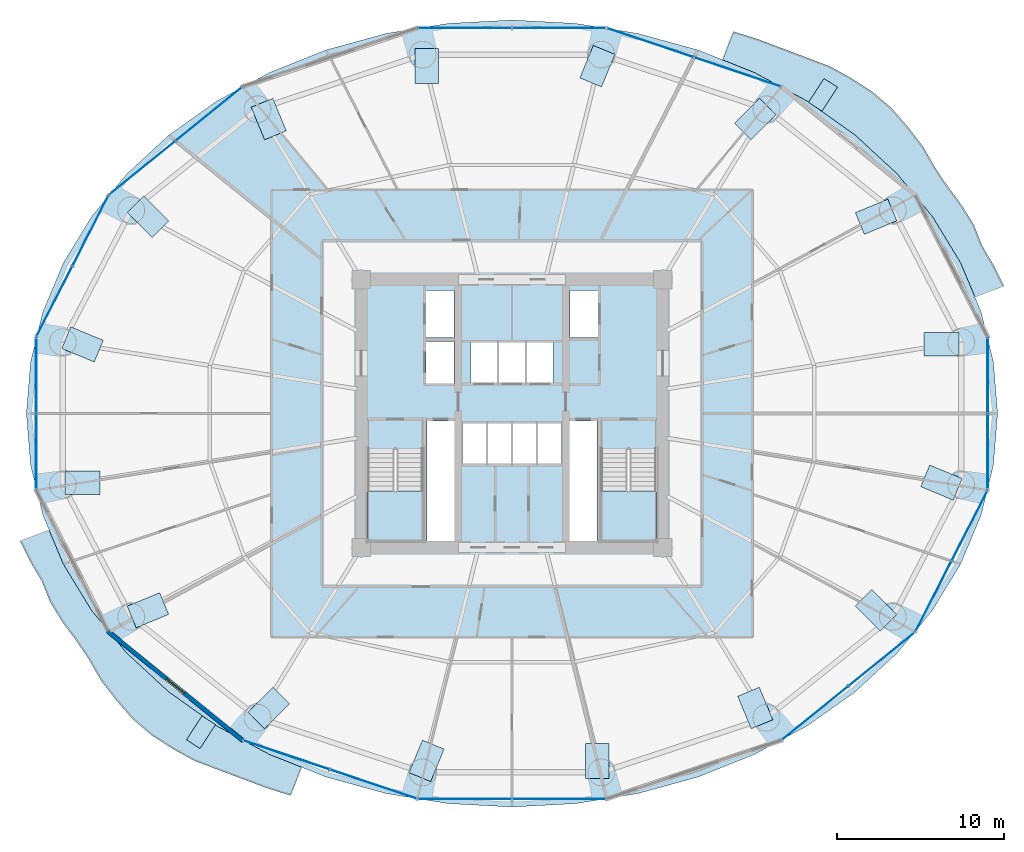
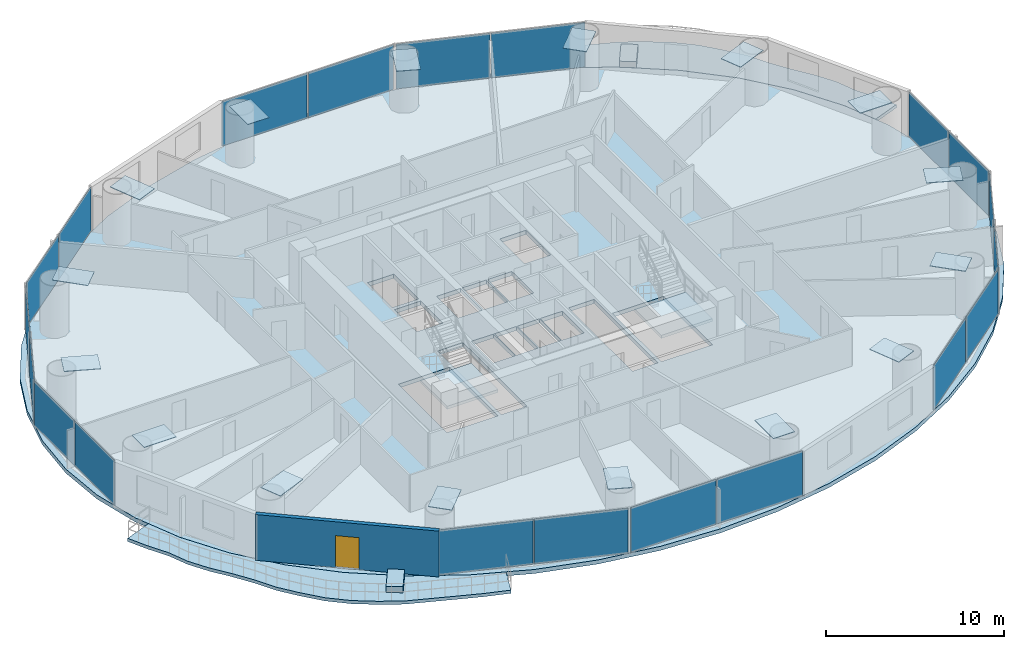
# One storey, part 21 of 29: 36 plates, 7 slabs, 1 door, 1 wall, 1 opening, 12 elements without a shape of their own.
"""IFC4 building model written with IfcOpenShell, lengths in metres."""

import ifcopenshell
import ifcopenshell.guid

model = None  # the IFC model being written
_history = None  # IfcOwnerHistory: only IFC2X3 demands one
_inside = {}  # id of a spatial element -> (the spatial element, [elements in it])
_under = {}  # id of a project, library or spatial element -> (it, [spatial elements below it])
_declared = {}  # id of a project -> (the project, [libraries it declares])
_typed = {}  # id of a type object -> (the type object, [elements of that type])
_made_of = {}  # id of a material, layer set ... -> (it, [elements and type objects made of it])


def new_model(schema):
    """Start an empty IFC model of exactly this schema.

    Asked for "IFC4X3", IfcOpenShell would pick the latest addendum, in which some entities
    have other attributes; the version numbers below select the first issue.
    IFC2X3 requires an IfcOwnerHistory on every rooted entity: one is made here for all.
    """
    global model, _history
    if schema == "IFC4X3":
        model = ifcopenshell.file(schema_version=(4, 3, 0, 0))
    else:
        model = ifcopenshell.file(schema=schema)
    _inside.clear()
    _under.clear()
    _declared.clear()
    _typed.clear()
    _made_of.clear()
    _history = None
    if model.schema == "IFC2X3":
        org = make("IfcOrganization", Name="unknown")
        user = make(
            "IfcPersonAndOrganization",
            ThePerson=make("IfcPerson", FamilyName="unknown"),
            TheOrganization=org,
        )
        app = make(
            "IfcApplication",
            ApplicationDeveloper=org,
            Version="unknown",
            ApplicationFullName="unknown",
            ApplicationIdentifier="unknown",
        )
        _history = make(
            "IfcOwnerHistory",
            OwningUser=user,
            OwningApplication=app,
            ChangeAction="ADDED",
            CreationDate=0,
        )
    return model


def make(cls, **values):
    """One entity of the class cls with the attributes given. An attribute that is None is left unset."""
    return model.create_entity(
        cls, **{name: value for name, value in values.items() if value is not None}
    )


def rooted(cls, **values):
    """An entity with a GlobalId (a new one), such as an element, a storey or a relation."""
    return make(cls, GlobalId=ifcopenshell.guid.new(), OwnerHistory=_history, **values)


def si_unit(unit_type, name, prefix=None):
    """IfcSIUnit, for example si_unit("LENGTHUNIT", "METRE", prefix="MILLI")."""
    return make("IfcSIUnit", UnitType=unit_type, Prefix=prefix, Name=name)


def assignment(units):
    """IfcUnitAssignment: the units of a project."""
    return None if units is None else make("IfcUnitAssignment", Units=units)


def point(xyz):
    """IfcCartesianPoint."""
    return None if xyz is None else make("IfcCartesianPoint", Coordinates=xyz)


def direction(xyz):
    """IfcDirection."""
    return None if xyz is None else make("IfcDirection", DirectionRatios=xyz)


def frame(location, z_axis=None, x_axis=None):
    """IfcAxis2Placement3D, a coordinate frame: its origin and axes. An axis left out is left unset."""
    return make(
        "IfcAxis2Placement3D",
        Location=point(location),
        Axis=direction(z_axis),
        RefDirection=direction(x_axis),
    )


def frame_2d(location, x_axis=None):
    """IfcAxis2Placement2D, a coordinate frame in the plane: its origin and x axis."""
    return make(
        "IfcAxis2Placement2D", Location=point(location), RefDirection=direction(x_axis)
    )


def origin():
    """The frame at (0, 0, 0) with its axes left unset."""
    return frame((0.0, 0.0, 0.0))


def origin_2d():
    """The frame at (0, 0) in the plane with its x axis left unset."""
    return frame_2d((0.0, 0.0))


def place(relative_to, where):
    """IfcLocalPlacement: puts the frame where relative to a parent placement (None: the world)."""
    return make(
        "IfcLocalPlacement", PlacementRelTo=relative_to, RelativePlacement=where
    )


def context(
    kind, dimensions, precision=None, world=None, true_north=None, identifier=None
):
    """IfcGeometricRepresentationContext, for example the 3D "Model" context."""
    return make(
        "IfcGeometricRepresentationContext",
        ContextIdentifier=identifier,
        ContextType=kind,
        CoordinateSpaceDimension=dimensions,
        Precision=precision,
        WorldCoordinateSystem=world,
        TrueNorth=true_north,
    )


def subcontext(parent, identifier, kind, view, scale=None):
    """IfcGeometricRepresentationSubContext, for example "Body" below "Model"."""
    return make(
        "IfcGeometricRepresentationSubContext",
        ContextIdentifier=identifier,
        ContextType=kind,
        ParentContext=parent,
        TargetScale=scale,
        TargetView=view,
    )


def project(units=None, contexts=None):
    """IfcProject with its units and contexts."""
    return rooted(
        "IfcProject",
        Name="project",
        RepresentationContexts=contexts,
        UnitsInContext=assignment(units),
    )


def spatial(cls, under=None, at=None, **own):
    """A site, building, storey or space (cls), placed at a placement, below another one or the project."""
    s = rooted(cls, ObjectPlacement=at, **own)
    if under is not None:
        _under.setdefault(under.id(), (under, []))[1].append(s)
    return s


def polyline(points):
    """IfcPolyline through the points."""
    return make("IfcPolyline", Points=[point(p) for p in points])


def profile(cls, at=None, kind="AREA", **sizes):
    """A parametric profile (cls). Its sizes go by their IFC names, for example OverallWidth=200.0."""
    return make(cls, ProfileType=kind, Position=at, **sizes)


def rectangle(**sizes):
    """IfcRectangleProfileDef."""
    return profile("IfcRectangleProfileDef", **sizes)


def outline(outer, holes=None, kind="AREA"):
    """IfcArbitraryClosedProfileDef: a profile drawn as a closed curve; with holes, ...WithVoids."""
    if holes is None:
        return make("IfcArbitraryClosedProfileDef", ProfileType=kind, OuterCurve=outer)
    return make(
        "IfcArbitraryProfileDefWithVoids",
        ProfileType=kind,
        OuterCurve=outer,
        InnerCurves=holes,
    )


def extrude(swept, where, along, depth):
    """IfcExtrudedAreaSolid: the profile swept, set in the frame where, extruded along a direction by depth."""
    return make(
        "IfcExtrudedAreaSolid",
        SweptArea=swept,
        Position=where,
        ExtrudedDirection=direction(along),
        Depth=depth,
    )


def shape(context_of_items, identifier, shape_type, items):
    """IfcShapeRepresentation: the items that make up one representation, for example the "Body"."""
    return make(
        "IfcShapeRepresentation",
        ContextOfItems=context_of_items,
        RepresentationIdentifier=identifier,
        RepresentationType=shape_type,
        Items=items,
    )


def source(mapping_origin, context_of_items, identifier, shape_type, items):
    """IfcRepresentationMap: a shape defined once, which mapped items show again and again."""
    return make(
        "IfcRepresentationMap",
        MappingOrigin=mapping_origin,
        MappedRepresentation=shape(context_of_items, identifier, shape_type, items),
    )


def transform(
    local_origin,
    x_axis=None,
    y_axis=None,
    z_axis=None,
    scale=None,
    scale2=None,
    scale3=None,
    uniform=True,
):
    """IfcCartesianTransformationOperator3D, or its non-uniform kind. x_axis, y_axis, z_axis: its Axis1, 2, 3."""
    if uniform:
        return make(
            "IfcCartesianTransformationOperator3D",
            Axis1=direction(x_axis),
            Axis2=direction(y_axis),
            LocalOrigin=point(local_origin),
            Scale=scale,
            Axis3=direction(z_axis),
        )
    return make(
        "IfcCartesianTransformationOperator3DnonUniform",
        Axis1=direction(x_axis),
        Axis2=direction(y_axis),
        LocalOrigin=point(local_origin),
        Scale=scale,
        Axis3=direction(z_axis),
        Scale2=scale2,
        Scale3=scale3,
    )


def mapped(mapping_source, mapping_target):
    """IfcMappedItem: shows the shape of a source again, moved by a transform."""
    return make(
        "IfcMappedItem", MappingSource=mapping_source, MappingTarget=mapping_target
    )


def material(Name=None, Category=None):
    """IfcMaterial."""
    return make("IfcMaterial", Name=Name, Category=Category)


def layer(
    of_material, thickness, ventilated=None, Name=None, Category=None, Priority=None
):
    """IfcMaterialLayer: one layer of a wall or slab, of a material (None: an air gap)."""
    return make(
        "IfcMaterialLayer",
        Material=of_material,
        LayerThickness=thickness,
        IsVentilated=ventilated,
        Name=Name,
        Category=Category,
        Priority=Priority,
    )


def layer_set(layers, Name=None):
    """IfcMaterialLayerSet."""
    return make("IfcMaterialLayerSet", MaterialLayers=layers, LayerSetName=Name)


def made_of(thing, what):
    """Note that an element or type object is made of a material, layer set ...; save() writes the relation."""
    if what is not None:
        _made_of.setdefault(what.id(), (what, []))[1].append(thing)
    return thing


def type_object(cls, material=None, **own):
    """A type object (cls), such as IfcWallType, which elements share."""
    return made_of(rooted(cls, **own), material)


def element(
    cls,
    number,
    at=None,
    inside=None,
    cuts=None,
    type_object=None,
    material=None,
    context=None,
    identifier="Body",
    shape_type=None,
    held_by="IfcProductDefinitionShape",
    body=None,
    shapes=None,
    **own,
):
    """One element of the class cls, such as IfcWall. Its Tag is "e" and its number.

    at: its placement. inside: the storey or other place that contains it. cuts: it is an
    opening in that element (IfcRelVoidsElement). A single representation is given by context,
    identifier, shape_type and body (its items); several are given by shapes. held_by: the class
    of the entity that holds the representations. save() writes the other relations.
    """
    e = rooted(cls, Tag="e%d" % number, ObjectPlacement=at, **own)
    if body is not None:
        shapes = [shape(context, identifier, shape_type, body)]
    if shapes is not None:
        e.Representation = make(held_by, Representations=shapes)
    if inside is not None:
        _inside.setdefault(inside.id(), (inside, []))[1].append(e)
    if cuts is not None:
        rooted(
            "IfcRelVoidsElement", RelatingBuildingElement=cuts, RelatedOpeningElement=e
        )
    if type_object is not None:
        _typed.setdefault(type_object.id(), (type_object, []))[1].append(e)
    return made_of(e, material)


def fill(opening, filler):
    """IfcRelFillsElement: the door or window that sits in an opening."""
    return rooted(
        "IfcRelFillsElement",
        RelatingOpeningElement=opening,
        RelatedBuildingElement=filler,
    )


def aggregate(whole, parts):
    """IfcRelAggregates: a whole, such as a stair, and the parts it consists of."""
    return rooted("IfcRelAggregates", RelatingObject=whole, RelatedObjects=parts)


def save(model, path):
    """Write the relations noted so far, then the file.

    IfcRelAggregates (storeys below a building ...), IfcRelContainedInSpatialStructure (elements
    in a storey), IfcRelDefinesByType, IfcRelAssociatesMaterial and IfcRelDeclares: one each for
    every whole, place, type object, material and project.
    """
    for whole, parts in _under.values():
        aggregate(whole, parts)
    for where, things in _inside.values():
        rooted(
            "IfcRelContainedInSpatialStructure",
            RelatedElements=things,
            RelatingStructure=where,
        )
    for kind, things in _typed.values():
        rooted("IfcRelDefinesByType", RelatedObjects=things, RelatingType=kind)
    for what, things in _made_of.values():
        rooted("IfcRelAssociatesMaterial", RelatedObjects=things, RelatingMaterial=what)
    for by, libraries in _declared.values():
        rooted("IfcRelDeclares", RelatingContext=by, RelatedDefinitions=libraries)
    model.write(path)


model = new_model("IFC4")

# Units and contexts
model_context = context("Model", 3, precision=1e-05, world=origin(), true_north=direction((-0.2419218956, 0.970295726276)))
body_context = subcontext(model_context, "Body", "Model", "MODEL_VIEW")
ifc_project = project(units=[si_unit("LENGTHUNIT", "METRE"), si_unit("AREAUNIT", "SQUARE_METRE"), si_unit("VOLUMEUNIT", "CUBIC_METRE"), si_unit("PLANEANGLEUNIT", "RADIAN"), si_unit("MASSUNIT", "GRAM", prefix="KILO")], contexts=[model_context])

# Site, building, storey
site_placement = place(None, origin())
site = spatial("IfcSite", under=ifc_project, at=site_placement, CompositionType="ELEMENT")
building_placement = place(site_placement, origin())
building = spatial("IfcBuilding", under=site, at=building_placement, Name="Cobrevalo Terracotta Tower", CompositionType="ELEMENT")
storey_placement = place(building_placement, frame((0.0, 0.0, 70.800048828125)))
storey = spatial("IfcBuildingStorey", under=building, at=storey_placement, Name="L18", CompositionType="ELEMENT", Elevation=70.800048828125)

# Stair, slab
ifc_material_1 = material(Name="Concrete C50", Category="concrete")
stair_type = type_object("IfcStairType", Name="Core protected escape dogleg stair 1600", PredefinedType="HALF_TURN_STAIR", material=ifc_material_1)
stair_1_placement = place(storey_placement, origin())
stair_1 = element("IfcStair", 1, at=stair_1_placement, inside=storey, type_object=stair_type, Name="L18 Protected exit stair ST-1", PredefinedType="HALF_TURN_STAIR")
ifc_layer_1 = layer(ifc_material_1, 0.199951171875)
ifc_layer_set_1 = layer_set([ifc_layer_1], Name="Concrete C50")
slab_type_1 = type_object("IfcSlabType", Name="Reinforced Concrete Stair Landing 200", PredefinedType="LANDING", material=ifc_layer_set_1)
slab_1_placement = place(storey_placement, frame((0.0, 0.0, 1.599853515625)))
slab_1 = element("IfcSlab", 2, at=slab_1_placement, type_object=slab_type_1, Name="ST-1 landing 1", PredefinedType="LANDING", context=body_context, shape_type="SweptSolid", body=[
    extrude(outline(polyline([(29.375, 22.179931640625), (29.375, 19.175048828125), (32.695068359375, 19.175048828125), (32.695068359375, 22.179931640625), (29.375, 22.179931640625)])), origin(), (0.0, 0.0, 1.0), 0.2001953125),
])
aggregate(stair_1, [slab_1])

stair_2_placement = place(storey_placement, origin())
stair_2 = element("IfcStair", 3, at=stair_2_placement, inside=storey, type_object=stair_type, Name="L18 Protected exit stair ST-2", PredefinedType="HALF_TURN_STAIR")
slab_2_placement = place(storey_placement, frame((0.0, 0.0, 1.599853515625)))
slab_2 = element("IfcSlab", 4, at=slab_2_placement, type_object=slab_type_1, Name="ST-2 landing 1", PredefinedType="LANDING", context=body_context, shape_type="SweptSolid", body=[
    extrude(outline(polyline([(43.304931640625, 22.179931640625), (43.304931640625, 19.175048828125), (46.625, 19.175048828125), (46.625, 22.179931640625), (43.304931640625, 22.179931640625)])), origin(), (0.0, 0.0, 1.0), 0.2001953125),
])
aggregate(stair_2, [slab_2])

# Slabs
ifc_material_2 = material(Name="Concrete C45", Category="concrete")
ifc_layer_2 = layer(ifc_material_2, 0.219970703125)
ifc_layer_set_2 = layer_set([ifc_layer_2], Name="Concrete C45")
slab_type_2 = type_object("IfcSlabType", Name="Spiralling cantilevered balcony lobe slab 220 mm", PredefinedType="FLOOR", material=ifc_layer_set_2)
slab_3_placement = place(storey_placement, frame((0.0, 0.0, -0.219970703125)))
element("IfcSlab", 5, at=slab_3_placement, inside=storey, type_object=slab_type_2, Name="L18 spiralling arc balcony slab lobe 1", PredefinedType="FLOOR", context=body_context, shape_type="SweptSolid", body=[
    extrude(outline(polyline([(67.3818359375, 34.415771484375), (66.780517578125, 35.6220703125), (66.097900390625, 36.779052734375), (65.581787109375, 38.0546875), (64.867919921875, 39.222900390625), (64.03955078125, 40.33447265625), (63.253662109375, 41.502685546875), (62.534423828125, 42.757568359375), (61.63623046875, 43.92138671875), (60.666259765625, 45.035400390625), (59.53759765625, 46.001953125), (58.273681640625, 46.81689453125), (56.96337890625, 47.539794921875), (55.52392578125, 48.081787109375), (54.1064453125, 48.6201171875), (52.6904296875, 49.14892578125), (51.238525390625, 49.61279296875), (50.577392578125, 47.922119140625), (52.5009765625, 47.1533203125), (55.6552734375, 45.4453125), (58.507568359375, 43.41845703125), (61.0087890625, 41.107177734375), (63.116455078125, 38.551025390625), (64.79443359375, 35.7939453125), (65.6494140625, 33.75244140625), (67.3818359375, 34.415771484375)])), origin(), (0.0, 0.0, 1.0), 0.219970703125),
])
slab_4_placement = place(storey_placement, frame((0.0, 0.0, -0.219970703125)))
element("IfcSlab", 6, at=slab_4_placement, inside=storey, type_object=slab_type_2, Name="L18 spiralling arc balcony slab lobe 2", PredefinedType="FLOOR", context=body_context, shape_type="SweptSolid", body=[
    extrude(outline(polyline([(8.6181640625, 19.184326171875), (9.219482421875, 17.97802734375), (9.902099609375, 16.82080078125), (10.418212890625, 15.54541015625), (11.132080078125, 14.376953125), (11.96044921875, 13.265380859375), (12.746337890625, 12.09716796875), (13.465576171875, 10.842529296875), (14.36376953125, 9.6787109375), (15.333740234375, 8.564697265625), (16.46240234375, 7.597900390625), (17.726318359375, 6.783203125), (19.03662109375, 6.06005859375), (20.47607421875, 5.51806640625), (21.8935546875, 4.97998046875), (23.3095703125, 4.451171875), (24.761474609375, 3.9873046875), (25.422607421875, 5.677978515625), (23.4990234375, 6.44677734375), (20.3447265625, 8.154541015625), (17.492431640625, 10.181640625), (14.9912109375, 12.492919921875), (12.883544921875, 15.049072265625), (11.20556640625, 17.80615234375), (10.3505859375, 19.84765625), (8.6181640625, 19.184326171875)])), origin(), (0.0, 0.0, 1.0), 0.219970703125),
])
ifc_material_3 = material(Name="Precast concrete C45", Category="concrete")
ifc_layer_3 = layer(ifc_material_3, 0.419921875)
ifc_layer_set_3 = layer_set([ifc_layer_3], Name="Precast concrete C45")
slab_type_3 = type_object("IfcSlabType", Name="Structural tree planter trough base 420 mm", PredefinedType="USERDEFINED", material=ifc_layer_set_3)
slab_5_placement = place(storey_placement, origin())
element("IfcSlab", 7, at=slab_5_placement, inside=storey, type_object=slab_type_3, Name="L18 structural tree planter trough 1", ObjectType="PLANTER", PredefinedType="USERDEFINED", context=body_context, shape_type="SweptSolid", body=[
    extrude(outline(polyline([(56.512451171875, 44.857421875), (57.437744140625, 46.28369140625), (56.632568359375, 46.80615234375), (55.70703125, 45.380126953125), (56.512451171875, 44.857421875)])), origin(), (0.0, 0.0, 1.0), 0.419921875),
])
slab_6_placement = place(storey_placement, origin())
element("IfcSlab", 8, at=slab_6_placement, inside=storey, type_object=slab_type_3, Name="L18 structural tree planter trough 2", ObjectType="PLANTER", PredefinedType="USERDEFINED", context=body_context, shape_type="SweptSolid", body=[
    extrude(outline(polyline([(19.487548828125, 8.742431640625), (18.562255859375, 7.31640625), (19.367431640625, 6.7939453125), (20.29296875, 8.219970703125), (19.487548828125, 8.742431640625)])), origin(), (0.0, 0.0, 1.0), 0.419921875),
])
ifc_layer_4 = layer(ifc_material_1, 0.280029296875)
ifc_layer_set_4 = layer_set([ifc_layer_4], Name="Concrete C50")
slab_type_4 = type_object("IfcSlabType", Name="Zone Z1 elliptical floor plate 280 mm", PredefinedType="FLOOR", material=ifc_layer_set_4)
slab_7_placement = place(storey_placement, frame((0.0, 0.0, -0.280029296875)))
element("IfcSlab", 9, at=slab_7_placement, inside=storey, type_object=slab_type_4, Name="L18 indoor elliptical floor slab", PredefinedType="FLOOR", context=body_context, shape_type="SweptSolid", body=[
    extrude(outline(polyline([(66.751953125, 23.732666015625), (66.011962890625, 20.7177734375), (64.79248046875, 17.806884765625), (63.11474609375, 15.050048828125), (61.00732421875, 12.494140625), (58.506103515625, 10.18310546875), (55.654052734375, 8.15625), (52.5, 6.448486328125), (49.097900390625, 5.0888671875), (45.505859375, 4.100830078125), (41.78515625, 3.5009765625), (38.0, 3.300048828125), (34.21484375, 3.5009765625), (30.494140625, 4.100830078125), (26.902099609375, 5.0888671875), (23.5, 6.448486328125), (20.345947265625, 8.15625), (17.493896484375, 10.18310546875), (14.99267578125, 12.494140625), (12.88525390625, 15.050048828125), (11.20751953125, 17.806884765625), (9.988037109375, 20.7177734375), (9.248046875, 23.732666015625), (9.0, 26.800048828125), (9.248046875, 29.867431640625), (9.988037109375, 32.88232421875), (11.20751953125, 35.79296875), (12.88525390625, 38.550048828125), (14.99267578125, 41.10595703125), (17.493896484375, 43.4169921875), (20.345947265625, 45.44384765625), (23.5, 47.151611328125), (26.902099609375, 48.51123046875), (30.494140625, 49.499267578125), (34.21484375, 50.098876953125), (38.0, 50.300048828125), (41.78515625, 50.098876953125), (45.505859375, 49.499267578125), (49.097900390625, 48.51123046875), (52.5, 47.151611328125), (55.654052734375, 45.44384765625), (58.506103515625, 43.4169921875), (61.00732421875, 41.10595703125), (63.11474609375, 38.550048828125), (64.79248046875, 35.79296875), (66.011962890625, 32.88232421875), (66.751953125, 29.867431640625), (67.0, 26.800048828125), (66.751953125, 23.732666015625)]), holes=[polyline([(32.695068359375, 19.175048828125), (32.695068359375, 24.659912109375), (29.375, 24.659912109375), (29.375, 19.175048828125), (32.695068359375, 19.175048828125)]), polyline([(34.574951171875, 19.175048828125), (34.574951171875, 26.360107421875), (32.919921875, 26.360107421875), (32.919921875, 19.175048828125), (34.574951171875, 19.175048828125)]), polyline([(36.47998046875, 23.800048828125), (36.47998046875, 26.25), (35.050048828125, 26.25), (35.050048828125, 23.800048828125), (36.47998046875, 23.800048828125)]), polyline([(37.9599609375, 23.800048828125), (37.9599609375, 26.25), (36.530029296875, 26.25), (36.530029296875, 23.800048828125), (37.9599609375, 23.800048828125)]), polyline([(37.1201171875, 28.60009765625), (37.1201171875, 31.050048828125), (35.550048828125, 31.050048828125), (35.550048828125, 28.60009765625), (37.1201171875, 28.60009765625)]), polyline([(34.550048828125, 28.60009765625), (34.550048828125, 31.10009765625), (32.85009765625, 31.10009765625), (32.85009765625, 28.60009765625), (34.550048828125, 28.60009765625)]), polyline([(34.550048828125, 31.35009765625), (34.550048828125, 34.14990234375), (32.85009765625, 34.14990234375), (32.85009765625, 31.35009765625), (34.550048828125, 31.35009765625)]), polyline([(46.625, 19.175048828125), (46.625, 24.659912109375), (43.304931640625, 24.659912109375), (43.304931640625, 19.175048828125), (46.625, 19.175048828125)]), polyline([(43.080078125, 19.175048828125), (43.080078125, 26.360107421875), (41.425048828125, 26.360107421875), (41.425048828125, 19.175048828125), (43.080078125, 19.175048828125)]), polyline([(39.469970703125, 23.800048828125), (39.469970703125, 26.25), (38.0400390625, 26.25), (38.0400390625, 23.800048828125), (39.469970703125, 23.800048828125)]), polyline([(40.949951171875, 23.800048828125), (40.949951171875, 26.25), (39.52001953125, 26.25), (39.52001953125, 23.800048828125), (40.949951171875, 23.800048828125)]), polyline([(38.780029296875, 28.60009765625), (38.780029296875, 31.050048828125), (37.219970703125, 31.050048828125), (37.219970703125, 28.60009765625), (38.780029296875, 28.60009765625)]), polyline([(40.449951171875, 28.60009765625), (40.449951171875, 31.050048828125), (38.8798828125, 31.050048828125), (38.8798828125, 28.60009765625), (40.449951171875, 28.60009765625)]), polyline([(43.14990234375, 31.35009765625), (43.14990234375, 34.14990234375), (41.449951171875, 34.14990234375), (41.449951171875, 31.35009765625), (43.14990234375, 31.35009765625)])]), origin(), (0.0, 0.0, 1.0), 0.280029296875),
])

# Plates
ifc_material_4 = material(Name="Steel S355", Category="steel")
ifc_layer_5 = layer(ifc_material_4, 0.044921875)
ifc_layer_set_5 = layer_set([ifc_layer_5], Name="Steel S355")
plate_type_1 = type_object("IfcPlateType", Name="Structural Cap Plate 2100x1400x45 (Steel S355)", PredefinedType="USERDEFINED", material=ifc_layer_set_5)
shared_shape_1 = source(origin(), body_context, "Body", "SweptSolid", [
    extrude(rectangle(XDim=2.10009765625, YDim=1.39990234375, at=origin_2d()), origin(), (0.0, 0.0, 1.0), 0.044921875),
])
for number, where, z_axis, x_axis, name in (
    (10, (63.6474609375, 30.92626953125, 3.577392578125), (0.0, 0.0, 1.0), (1.0, 0.0, 0.0), "L18 hollow end cap plate CAP-MCT-L18-01"),
    (11, (59.742919921875, 38.55029296875, 3.577392578125), (0.0, 0.0, 1.0), (0.923879532511, 0.382683432365, 0.0), "L18 hollow end cap plate CAP-MCT-L18-02"),
    (12, (52.528076171875, 44.385498046875, 3.577392578125), (0.0, 0.0, 1.0), (0.707106781187, 0.707106781187, 0.0), "L18 hollow end cap plate CAP-MCT-L18-03"),
    (13, (43.1015625, 47.543701171875, 3.577392578125), (0.0, 0.0, 1.0), (0.382683432365, 0.923879532511, 0.0), "L18 hollow end cap plate CAP-MCT-L18-04"),
    (14, (32.8984375, 47.543701171875, 3.577392578125), (0.0, 0.0, 1.0), (0.0, 1.0, 0.0), "L18 hollow end cap plate CAP-MCT-L18-05"),
    (15, (23.471923828125, 44.385498046875, 3.577392578125), (0.0, 0.0, 1.0), (-0.382683432365, 0.923879532511, 0.0), "L18 hollow end cap plate CAP-MCT-L18-06"),
    (16, (16.257080078125, 38.55029296875, 3.577392578125), (0.0, 0.0, 1.0), (-0.707106781187, 0.707106781187, 0.0), "L18 hollow end cap plate CAP-MCT-L18-07"),
    (17, (12.3525390625, 30.92626953125, 3.577392578125), (0.0, 0.0, 1.0), (-0.923879532511, 0.382683432365, 0.0), "L18 hollow end cap plate CAP-MCT-L18-08"),
    (18, (12.3525390625, 22.673828125, 3.577392578125), (0.0, 0.0, 1.0), (-1.0, 0.0, 0.0), "L18 hollow end cap plate CAP-MCT-L18-09"),
    (19, (16.257080078125, 15.0498046875, 3.577392578125), (0.0, 0.0, 1.0), (-0.923879532511, -0.382683432365, 0.0), "L18 hollow end cap plate CAP-MCT-L18-10"),
    (20, (23.471923828125, 9.21435546875, 3.577392578125), (0.0, 0.0, 1.0), (-0.707106781187, -0.707106781187, 0.0), "L18 hollow end cap plate CAP-MCT-L18-11"),
    (21, (32.8984375, 6.056396484375, 3.577392578125), (0.0, 0.0, 1.0), (-0.382683432365, -0.923879532511, 0.0), "L18 hollow end cap plate CAP-MCT-L18-12"),
    (22, (43.1015625, 6.056396484375, 3.577392578125), (0.0, 0.0, 1.0), (0.0, -1.0, 0.0), "L18 hollow end cap plate CAP-MCT-L18-13"),
    (23, (52.528076171875, 9.21435546875, 3.577392578125), (0.0, 0.0, 1.0), (0.382683432365, -0.923879532511, 0.0), "L18 hollow end cap plate CAP-MCT-L18-14"),
    (24, (59.742919921875, 15.0498046875, 3.577392578125), (0.0, 0.0, 1.0), (0.707106781187, -0.707106781187, 0.0), "L18 hollow end cap plate CAP-MCT-L18-15"),
    (25, (63.6474609375, 22.673828125, 3.577392578125), (0.0, 0.0, 1.0), (0.923879532511, -0.382683432365, 0.0), "L18 hollow end cap plate CAP-MCT-L18-16"),
):
    element("IfcPlate", number, at=place(storey_placement, frame(where, z_axis=z_axis, x_axis=x_axis)), inside=storey, type_object=plate_type_1, Name=name, ObjectType="CAP PLATE", PredefinedType="USERDEFINED", context=body_context, shape_type="MappedRepresentation", body=[
        mapped(shared_shape_1, transform((0.0, 0.0, 0.0), scale=1.0)),
    ])

# Curtain wall, plates
ifc_material_5 = material(Name="Anodized aluminium", Category="aluminium")
curtain_wall_type = type_object("IfcCurtainWallType", Name="Lower-tower unitised acoustic low-E curtain wall CW-U1", PredefinedType="NOTDEFINED", material=ifc_material_5)
curtain_wall_1_placement = place(storey_placement, origin())
curtain_wall_1 = element("IfcCurtainWall", 26, at=curtain_wall_1_placement, inside=storey, type_object=curtain_wall_type, Name="L18 curtain wall CW-L18-S03", PredefinedType="NOTDEFINED")
ifc_material_6 = material(Name="Solar-control low-E double glazing", Category="glass")
ifc_layer_6 = layer(ifc_material_6, 0.028076171875)
ifc_layer_set_6 = layer_set([ifc_layer_6], Name="Solar-control low-E double glazing")
plate_type_2 = type_object("IfcPlateType", Name="Tower solar-control low-E vision glass panel 28 mm", PredefinedType="CURTAIN_PANEL", material=ifc_layer_set_6)
shared_shape_2 = source(origin(), body_context, "Body", "SweptSolid", [
    extrude(rectangle(XDim=5.3876953125, YDim=0.035888671875, at=origin_2d()), origin(), (0.0, 0.0, 1.0), 3.070068359375),
])
plate_1_placement = place(storey_placement, frame((51.465087890625, 47.197021484375, 0.0400390625), z_axis=(0.0, 0.0, 1.0), x_axis=(-0.948044172593, 0.318138722592, 0.0)))
plate_1 = element("IfcPlate", 27, at=plate_1_placement, type_object=plate_type_2, Name="CW-L18-S03 glazing panel B01", PredefinedType="CURTAIN_PANEL", context=body_context, shape_type="MappedRepresentation", body=[
    mapped(shared_shape_2, transform((0.0, 0.0, 0.0), scale=1.0)),
])
plate_2_placement = place(storey_placement, frame((46.281494140625, 48.9365234375, 0.0400390625), z_axis=(0.0, 0.0, 1.0), x_axis=(-0.948044172593, 0.318138722592, 0.0)))
plate_2 = element("IfcPlate", 28, at=plate_2_placement, type_object=plate_type_2, Name="CW-L18-S03 glazing panel B02", PredefinedType="CURTAIN_PANEL", context=body_context, shape_type="MappedRepresentation", body=[
    mapped(shared_shape_2, transform((0.0, 0.0, 0.0), scale=1.0)),
])
aggregate(curtain_wall_1, [plate_1, plate_2])

curtain_wall_2_placement = place(storey_placement, origin())
curtain_wall_2 = element("IfcCurtainWall", 29, at=curtain_wall_2_placement, inside=storey, type_object=curtain_wall_type, Name="L18 curtain wall CW-L18-S11", PredefinedType="NOTDEFINED")
plate_3_placement = place(storey_placement, frame((24.534912109375, 6.40283203125, 0.0400390625), z_axis=(0.0, 0.0, 1.0), x_axis=(0.948044172593, -0.318138722592, 0.0)))
plate_3 = element("IfcPlate", 30, at=plate_3_placement, type_object=plate_type_2, Name="CW-L18-S11 glazing panel B01", PredefinedType="CURTAIN_PANEL", context=body_context, shape_type="MappedRepresentation", body=[
    mapped(shared_shape_2, transform((0.0, 0.0, 0.0), scale=1.0)),
])
plate_4_placement = place(storey_placement, frame((29.718505859375, 4.663330078125, 0.0400390625), z_axis=(0.0, 0.0, 1.0), x_axis=(0.948044172593, -0.318138722592, 0.0)))
plate_4 = element("IfcPlate", 31, at=plate_4_placement, type_object=plate_type_2, Name="CW-L18-S11 glazing panel B02", PredefinedType="CURTAIN_PANEL", context=body_context, shape_type="MappedRepresentation", body=[
    mapped(shared_shape_2, transform((0.0, 0.0, 0.0), scale=1.0)),
])
aggregate(curtain_wall_2, [plate_3, plate_4])

curtain_wall_3_placement = place(storey_placement, origin())
curtain_wall_3 = element("IfcCurtainWall", 32, at=curtain_wall_3_placement, inside=storey, type_object=curtain_wall_type, Name="L18 curtain wall CW-L18-S04", PredefinedType="NOTDEFINED")
shared_shape_3 = source(origin(), body_context, "Body", "SweptSolid", [
    extrude(rectangle(XDim=5.53173828125, YDim=0.035888671875, at=origin_2d()), origin(), (0.0, 0.0, 1.0), 3.070068359375),
])
plate_5_placement = place(storey_placement, frame((40.805908203125, 49.819091796875, 0.0400390625), z_axis=(0.0, 0.0, 1.0), x_axis=(-1.0, 0.0, 0.0)))
plate_5 = element("IfcPlate", 33, at=plate_5_placement, type_object=plate_type_2, Name="CW-L18-S04 glazing panel B01", PredefinedType="CURTAIN_PANEL", context=body_context, shape_type="MappedRepresentation", body=[
    mapped(shared_shape_3, transform((0.0, 0.0, 0.0), scale=1.0)),
])
plate_6_placement = place(storey_placement, frame((35.194091796875, 49.819091796875, 0.0400390625), z_axis=(0.0, 0.0, 1.0), x_axis=(-1.0, 0.0, 0.0)))
plate_6 = element("IfcPlate", 34, at=plate_6_placement, type_object=plate_type_2, Name="CW-L18-S04 glazing panel B02", PredefinedType="CURTAIN_PANEL", context=body_context, shape_type="MappedRepresentation", body=[
    mapped(shared_shape_3, transform((0.0, 0.0, 0.0), scale=1.0)),
])
aggregate(curtain_wall_3, [plate_5, plate_6])

curtain_wall_4_placement = place(storey_placement, origin())
curtain_wall_4 = element("IfcCurtainWall", 35, at=curtain_wall_4_placement, inside=storey, type_object=curtain_wall_type, Name="L18 curtain wall CW-L18-S12", PredefinedType="NOTDEFINED")
plate_7_placement = place(storey_placement, frame((35.194091796875, 3.781005859375, 0.0400390625), z_axis=(0.0, 0.0, 1.0), x_axis=(1.0, 0.0, 0.0)))
plate_7 = element("IfcPlate", 36, at=plate_7_placement, type_object=plate_type_2, Name="CW-L18-S12 glazing panel B01", PredefinedType="CURTAIN_PANEL", context=body_context, shape_type="MappedRepresentation", body=[
    mapped(shared_shape_3, transform((0.0, 0.0, 0.0), scale=1.0)),
])
plate_8_placement = place(storey_placement, frame((40.805908203125, 3.781005859375, 0.0400390625), z_axis=(0.0, 0.0, 1.0), x_axis=(1.0, 0.0, 0.0)))
plate_8 = element("IfcPlate", 37, at=plate_8_placement, type_object=plate_type_2, Name="CW-L18-S12 glazing panel B02", PredefinedType="CURTAIN_PANEL", context=body_context, shape_type="MappedRepresentation", body=[
    mapped(shared_shape_3, transform((0.0, 0.0, 0.0), scale=1.0)),
])
aggregate(curtain_wall_4, [plate_7, plate_8])

curtain_wall_5_placement = place(storey_placement, origin())
curtain_wall_5 = element("IfcCurtainWall", 38, at=curtain_wall_5_placement, inside=storey, type_object=curtain_wall_type, Name="L18 curtain wall CW-L18-S06", PredefinedType="NOTDEFINED")
shared_shape_4 = source(origin(), body_context, "Body", "SweptSolid", [
    extrude(rectangle(XDim=5.023193359375, YDim=0.035888671875, at=origin_2d()), origin(), (0.0, 0.0, 1.0), 3.070068359375),
])
plate_9_placement = place(storey_placement, frame((19.891357421875, 44.68310546875, 0.0400390625), z_axis=(0.0, 0.0, 1.0), x_axis=(-0.777007547884, -0.629491279154, 0.0)))
plate_9 = element("IfcPlate", 39, at=plate_9_placement, type_object=plate_type_2, Name="CW-L18-S06 glazing panel B01", PredefinedType="CURTAIN_PANEL", context=body_context, shape_type="MappedRepresentation", body=[
    mapped(shared_shape_4, transform((0.0, 0.0, 0.0), scale=1.0)),
])
plate_10_placement = place(storey_placement, frame((15.926025390625, 41.470703125, 0.0400390625), z_axis=(0.0, 0.0, 1.0), x_axis=(-0.777007547884, -0.629491279154, 0.0)))
plate_10 = element("IfcPlate", 40, at=plate_10_placement, type_object=plate_type_2, Name="CW-L18-S06 glazing panel B02", PredefinedType="CURTAIN_PANEL", context=body_context, shape_type="MappedRepresentation", body=[
    mapped(shared_shape_4, transform((0.0, 0.0, 0.0), scale=1.0)),
])
aggregate(curtain_wall_5, [plate_9, plate_10])

curtain_wall_6_placement = place(storey_placement, origin())
curtain_wall_6 = element("IfcCurtainWall", 41, at=curtain_wall_6_placement, inside=storey, type_object=curtain_wall_type, Name="L18 curtain wall CW-L18-S14", PredefinedType="NOTDEFINED")
plate_11_placement = place(storey_placement, frame((56.108642578125, 8.916748046875, 0.0400390625), z_axis=(0.0, 0.0, 1.0), x_axis=(0.777007547884, 0.629491279154, 0.0)))
plate_11 = element("IfcPlate", 42, at=plate_11_placement, type_object=plate_type_2, Name="CW-L18-S14 glazing panel B01", PredefinedType="CURTAIN_PANEL", context=body_context, shape_type="MappedRepresentation", body=[
    mapped(shared_shape_4, transform((0.0, 0.0, 0.0), scale=1.0)),
])
plate_12_placement = place(storey_placement, frame((60.073974609375, 12.12939453125, 0.0400390625), z_axis=(0.0, 0.0, 1.0), x_axis=(0.777007547884, 0.629491279154, 0.0)))
plate_12 = element("IfcPlate", 43, at=plate_12_placement, type_object=plate_type_2, Name="CW-L18-S14 glazing panel B02", PredefinedType="CURTAIN_PANEL", context=body_context, shape_type="MappedRepresentation", body=[
    mapped(shared_shape_4, transform((0.0, 0.0, 0.0), scale=1.0)),
])
aggregate(curtain_wall_6, [plate_11, plate_12])

curtain_wall_7_placement = place(storey_placement, origin())
curtain_wall_7 = element("IfcCurtainWall", 44, at=curtain_wall_7_placement, inside=storey, type_object=curtain_wall_type, Name="L18 curtain wall CW-L18-S07", PredefinedType="NOTDEFINED")
shared_shape_5 = source(origin(), body_context, "Body", "SweptSolid", [
    extrude(rectangle(XDim=4.631103515625, YDim=0.035888671875, at=origin_2d()), origin(), (0.0, 0.0, 1.0), 3.070068359375),
])
plate_13_placement = place(storey_placement, frame((12.82177734375, 37.706298828125, 0.0400390625), z_axis=(0.0, 0.0, 1.0), x_axis=(-0.45523102861, -0.890373354605, 0.0)))
plate_13 = element("IfcPlate", 45, at=plate_13_placement, type_object=plate_type_2, Name="CW-L18-S07 glazing panel B01", PredefinedType="CURTAIN_PANEL", context=body_context, shape_type="MappedRepresentation", body=[
    mapped(shared_shape_5, transform((0.0, 0.0, 0.0), scale=1.0)),
])
plate_14_placement = place(storey_placement, frame((10.67724609375, 33.51171875, 0.0400390625), z_axis=(0.0, 0.0, 1.0), x_axis=(-0.45523102861, -0.890373354605, 0.0)))
plate_14 = element("IfcPlate", 46, at=plate_14_placement, type_object=plate_type_2, Name="CW-L18-S07 glazing panel B02", PredefinedType="CURTAIN_PANEL", context=body_context, shape_type="MappedRepresentation", body=[
    mapped(shared_shape_5, transform((0.0, 0.0, 0.0), scale=1.0)),
])
aggregate(curtain_wall_7, [plate_13, plate_14])

curtain_wall_8_placement = place(storey_placement, origin())
curtain_wall_8 = element("IfcCurtainWall", 47, at=curtain_wall_8_placement, inside=storey, type_object=curtain_wall_type, Name="L18 curtain wall CW-L18-S15", PredefinedType="NOTDEFINED")
plate_15_placement = place(storey_placement, frame((63.17822265625, 15.893798828125, 0.0400390625), z_axis=(0.0, 0.0, 1.0), x_axis=(0.45523102861, 0.890373354605, 0.0)))
plate_15 = element("IfcPlate", 48, at=plate_15_placement, type_object=plate_type_2, Name="CW-L18-S15 glazing panel B01", PredefinedType="CURTAIN_PANEL", context=body_context, shape_type="MappedRepresentation", body=[
    mapped(shared_shape_5, transform((0.0, 0.0, 0.0), scale=1.0)),
])
plate_16_placement = place(storey_placement, frame((65.32275390625, 20.08837890625, 0.0400390625), z_axis=(0.0, 0.0, 1.0), x_axis=(0.45523102861, 0.890373354605, 0.0)))
plate_16 = element("IfcPlate", 49, at=plate_16_placement, type_object=plate_type_2, Name="CW-L18-S15 glazing panel B02", PredefinedType="CURTAIN_PANEL", context=body_context, shape_type="MappedRepresentation", body=[
    mapped(shared_shape_5, transform((0.0, 0.0, 0.0), scale=1.0)),
])
aggregate(curtain_wall_8, [plate_15, plate_16])

curtain_wall_9_placement = place(storey_placement, origin())
curtain_wall_9 = element("IfcCurtainWall", 50, at=curtain_wall_9_placement, inside=storey, type_object=curtain_wall_type, Name="L18 curtain wall CW-L18-S08", PredefinedType="NOTDEFINED")
shared_shape_6 = source(origin(), body_context, "Body", "SweptSolid", [
    extrude(rectangle(XDim=4.458740234375, YDim=0.035888671875, at=origin_2d()), origin(), (0.0, 0.0, 1.0), 3.070068359375),
])
plate_17_placement = place(storey_placement, frame((9.586669921875, 29.0693359375, 0.0400390625), z_axis=(0.0, 0.0, 1.0), x_axis=(0.0, -1.0, 0.0)))
plate_17 = element("IfcPlate", 51, at=plate_17_placement, type_object=plate_type_2, Name="CW-L18-S08 glazing panel B01", PredefinedType="CURTAIN_PANEL", context=body_context, shape_type="MappedRepresentation", body=[
    mapped(shared_shape_6, transform((0.0, 0.0, 0.0), scale=1.0)),
])
plate_18_placement = place(storey_placement, frame((9.586669921875, 24.530517578125, 0.0400390625), z_axis=(0.0, 0.0, 1.0), x_axis=(0.0, -1.0, 0.0)))
plate_18 = element("IfcPlate", 52, at=plate_18_placement, type_object=plate_type_2, Name="CW-L18-S08 glazing panel B02", PredefinedType="CURTAIN_PANEL", context=body_context, shape_type="MappedRepresentation", body=[
    mapped(shared_shape_6, transform((0.0, 0.0, 0.0), scale=1.0)),
])
aggregate(curtain_wall_9, [plate_17, plate_18])

curtain_wall_10_placement = place(storey_placement, origin())
curtain_wall_10 = element("IfcCurtainWall", 53, at=curtain_wall_10_placement, inside=storey, type_object=curtain_wall_type, Name="L18 curtain wall CW-L18-S16", PredefinedType="NOTDEFINED")
plate_19_placement = place(storey_placement, frame((66.413330078125, 24.530517578125, 0.0400390625), z_axis=(0.0, 0.0, 1.0), x_axis=(0.0, 1.0, 0.0)))
plate_19 = element("IfcPlate", 54, at=plate_19_placement, type_object=plate_type_2, Name="CW-L18-S16 glazing panel B01", PredefinedType="CURTAIN_PANEL", context=body_context, shape_type="MappedRepresentation", body=[
    mapped(shared_shape_6, transform((0.0, 0.0, 0.0), scale=1.0)),
])
plate_20_placement = place(storey_placement, frame((66.413330078125, 29.0693359375, 0.0400390625), z_axis=(0.0, 0.0, 1.0), x_axis=(0.0, 1.0, 0.0)))
plate_20 = element("IfcPlate", 55, at=plate_20_placement, type_object=plate_type_2, Name="CW-L18-S16 glazing panel B02", PredefinedType="CURTAIN_PANEL", context=body_context, shape_type="MappedRepresentation", body=[
    mapped(shared_shape_6, transform((0.0, 0.0, 0.0), scale=1.0)),
])
aggregate(curtain_wall_10, [plate_19, plate_20])

# Wall, opening, door
ifc_material_7 = material(Name="Autoclaved aerated concrete block", Category="concrete")
ifc_layer_7 = layer(ifc_material_7, 0.260009765625)
ifc_layer_set_7 = layer_set([ifc_layer_7], Name="Autoclaved aerated concrete block")
wall_type = type_object("IfcWallType", Name="Recessed balcony loggia insulated exterior wall 260 mm", PredefinedType="SOLIDWALL", material=ifc_layer_set_7)
wall_placement = place(storey_placement, frame((13.85009765625, 13.81103515625, 0.0), z_axis=(0.0, 0.0, 1.0), x_axis=(0.777016782851, -0.629479879875, 0.0)))
wall = element("IfcWall", 56, at=wall_placement, inside=storey, type_object=wall_type, Name="L18 balcony loggia wall S10", PredefinedType="SOLIDWALL", context=body_context, shape_type="SweptSolid", body=[
    extrude(rectangle(XDim=10.446533203125, YDim=0.260009765625, at=frame_2d((5.22314453125, 0.0))), origin(), (0.0, 0.0, 1.0), 3.14990234375),
])
opening_placement = place(wall_placement, frame((4.54833984375, 0.0, 0.0)))
opening = element("IfcOpeningElement", 57, at=opening_placement, cuts=wall, Name="Opening ED-05", PredefinedType="OPENING", context=body_context, shape_type="SweptSolid", body=[
    extrude(rectangle(XDim=1.35009765625, YDim=2.199951171875, at=frame_2d((0.675048828125, 1.10009765625))), frame((0.0, 0.14013671875, 0.0), z_axis=(0.0, -1.0, 0.0), x_axis=(1.0, 0.0, 0.0)), (0.0, 0.0, 1.0), 0.280029296875),
])
ifc_material_8 = material(Name="Anodized aluminium and laminated glass", Category="aluminium")
door_type = type_object("IfcDoorType", Name="Suite balcony acoustic glazed terrace door 1350x2200", OperationType="NOTDEFINED", PredefinedType="DOOR", material=ifc_material_8)
shared_shape_7 = source(origin(), body_context, "Body", "SweptSolid", [
    extrude(rectangle(XDim=1.35009765625, YDim=2.199951171875, at=frame_2d((0.675048828125, 1.10009765625))), frame((0.0, 0.02490234375, 0.0), z_axis=(0.0, -1.0, 0.0), x_axis=(1.0, 0.0, 0.0)), (0.0, 0.0, 1.0), 0.050048828125),
])
door_placement = place(opening_placement, frame((1.35009765625, 0.0, 0.0), z_axis=(0.0, 0.0, 1.0), x_axis=(-1.0, 0.0, 0.0)))
door = element("IfcDoor", 58, at=door_placement, inside=storey, type_object=door_type, Name="L18 glazed balcony terrace door 2", OperationType="SINGLE_SWING_RIGHT", OverallHeight=2.199951171875, OverallWidth=1.35009765625, PredefinedType="DOOR", context=body_context, shape_type="MappedRepresentation", body=[
    mapped(shared_shape_7, transform((0.0, 0.0, 0.0), scale=1.0)),
])
fill(opening, door)

save(model, "model.ifc")
